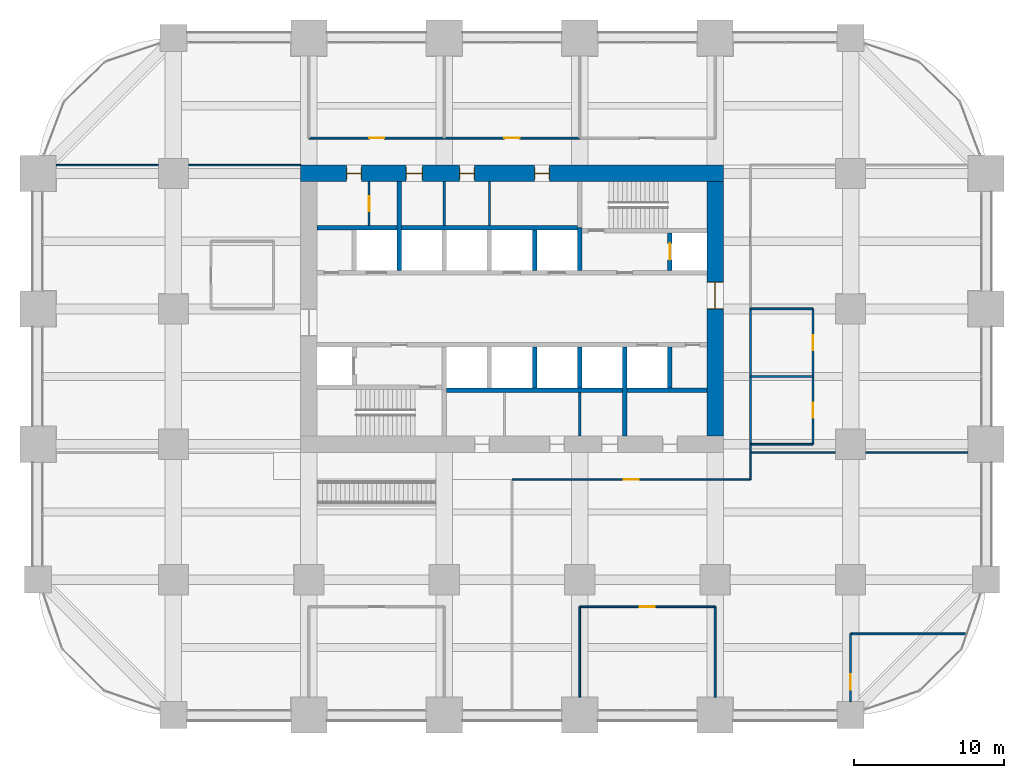
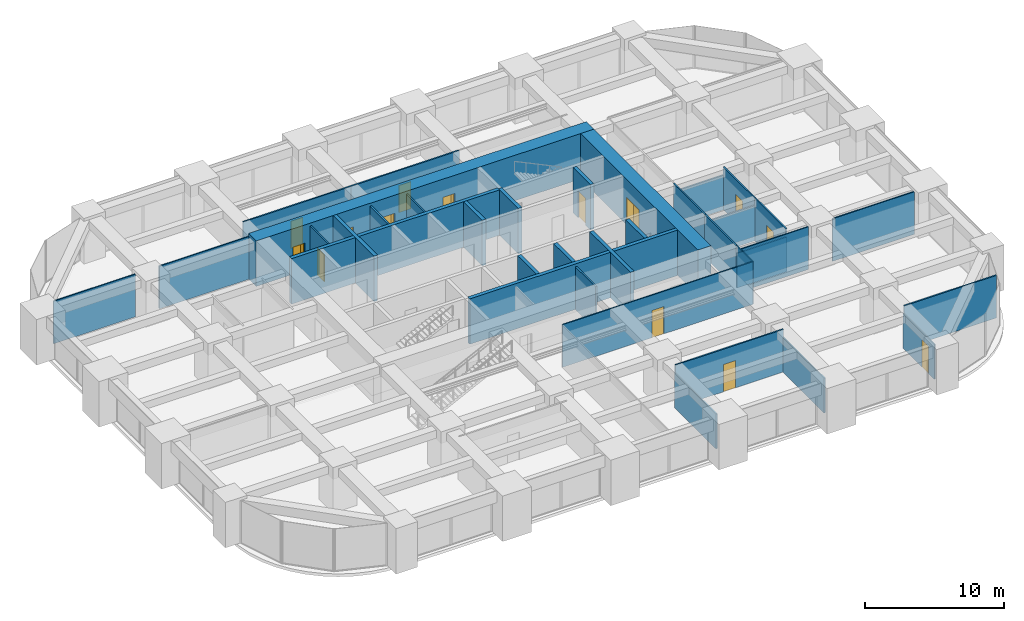
# One storey, part 37 of 39: 36 walls, 14 doors, 14 openings.
"""IFC4 building model written with IfcOpenShell, lengths in metres."""

from ifc_helpers import new_model, si_unit, direction, frame, frame_2d, origin, place, context, subcontext, project, spatial, rectangle, extrude, material, layer, layer_set, type_object, element, fill, save


model = new_model("IFC4")

# Units and contexts
model_context = context("Model", 3, precision=1e-05, world=origin(), true_north=direction((0.0, 1.0)))
body_context = subcontext(model_context, "Body", "Model", "MODEL_VIEW")
ifc_project = project(units=[si_unit("LENGTHUNIT", "METRE"), si_unit("AREAUNIT", "SQUARE_METRE"), si_unit("VOLUMEUNIT", "CUBIC_METRE"), si_unit("PLANEANGLEUNIT", "RADIAN"), si_unit("MASSUNIT", "GRAM", prefix="KILO")], contexts=[model_context])

# Site, building, storey
site_placement = place(None, origin())
site = spatial("IfcSite", under=ifc_project, at=site_placement, CompositionType="ELEMENT")
building_placement = place(site_placement, origin())
building = spatial("IfcBuilding", under=site, at=building_placement, Name="Zorevar Civic Tower", CompositionType="ELEMENT")
storey_placement = place(building_placement, frame((0.0, 0.0, 117.0)))
storey = spatial("IfcBuildingStorey", under=building, at=storey_placement, Name="L28", CompositionType="ELEMENT", Elevation=117.0)

# Wall, openings, doors
ifc_material_1 = material(Name="Concrete C50/60", Category="concrete")
ifc_layer_1 = layer(ifc_material_1, 1.10009765625)
ifc_layer_set_1 = layer_set([ifc_layer_1], Name="Core wall 1100")
wall_type_1 = type_object("IfcWallType", Name="Core wall 1100", PredefinedType="SHEAR", material=ifc_layer_set_1)
wall_1_placement = place(storey_placement, frame((45.550048828125, 36.0, 0.0), z_axis=(0.0, 0.0, 1.0), x_axis=(-1.0, 0.0, 0.0)))
wall_1 = element("IfcWall", 1, at=wall_1_placement, inside=storey, type_object=wall_type_1, Name="Core wall N L28", PredefinedType="SHEAR", context=body_context, shape_type="SweptSolid", body=[
    extrude(rectangle(XDim=28.10009765625, YDim=1.10009765625, at=frame_2d((14.050048828125, 0.0))), origin(), (0.0, 0.0, 1.0), 4.0),
])
opening_1_placement = place(wall_1_placement, frame((11.550048828125, 0.0, 0.0)))
opening_1 = element("IfcOpeningElement", 2, at=opening_1_placement, cuts=wall_1, Name="Opening L28.07", PredefinedType="OPENING", context=body_context, shape_type="SweptSolid", body=[
    extrude(rectangle(XDim=1.0, YDim=2.39990234375, at=frame_2d((0.5, 1.199951171875))), frame((0.0, 0.56005859375, 0.0), z_axis=(0.0, -1.0, 0.0), x_axis=(1.0, 0.0, 0.0)), (0.0, 0.0, 1.0), 1.1201171875),
])
opening_2_placement = place(wall_1_placement, frame((16.550048828125, 0.0, 0.0)))
opening_2 = element("IfcOpeningElement", 3, at=opening_2_placement, cuts=wall_1, Name="Opening L28.08", PredefinedType="OPENING", context=body_context, shape_type="SweptSolid", body=[
    extrude(rectangle(XDim=1.0, YDim=2.39990234375, at=frame_2d((0.5, 1.199951171875))), frame((0.0, 0.56005859375, 0.0), z_axis=(0.0, -1.0, 0.0), x_axis=(1.0, 0.0, 0.0)), (0.0, 0.0, 1.0), 1.1201171875),
])
opening_3_placement = place(wall_1_placement, frame((20.0, 0.0, 0.0)))
opening_3 = element("IfcOpeningElement", 4, at=opening_3_placement, cuts=wall_1, Name="Opening L28.09", PredefinedType="OPENING", context=body_context, shape_type="SweptSolid", body=[
    extrude(rectangle(XDim=1.10009765625, YDim=2.39990234375, at=frame_2d((0.550048828125, 1.199951171875))), frame((0.0, 0.56005859375, 0.0), z_axis=(0.0, -1.0, 0.0), x_axis=(1.0, 0.0, 0.0)), (0.0, 0.0, 1.0), 1.1201171875),
])
opening_4_placement = place(wall_1_placement, frame((24.050048828125, 0.0, 0.0)))
opening_4 = element("IfcOpeningElement", 5, at=opening_4_placement, cuts=wall_1, Name="Opening L28.10", PredefinedType="OPENING", context=body_context, shape_type="SweptSolid", body=[
    extrude(rectangle(XDim=1.0, YDim=2.39990234375, at=frame_2d((0.5, 1.199951171875))), frame((0.0, 0.56005859375, 0.0), z_axis=(0.0, -1.0, 0.0), x_axis=(1.0, 0.0, 0.0)), (0.0, 0.0, 1.0), 1.1201171875),
])
ifc_material_2 = material(Name="Timber door set", Category="wood")
door_type_1 = type_object("IfcDoorType", Name="Door D1 1000x2400", OperationType="SINGLE_SWING_LEFT", PredefinedType="DOOR", material=ifc_material_2)
door_1_placement = place(opening_1_placement, origin())
door_1 = element("IfcDoor", 6, at=door_1_placement, inside=storey, type_object=door_type_1, Name="Door L28 06", OperationType="SINGLE_SWING_LEFT", OverallHeight=2.39990234375, OverallWidth=1.0, PredefinedType="DOOR", context=body_context, shape_type="SweptSolid", body=[
    extrude(rectangle(XDim=1.0, YDim=2.39990234375, at=frame_2d((0.5, 1.199951171875))), frame((0.0, 0.02490234375, 0.0), z_axis=(0.0, -1.0, 0.0), x_axis=(1.0, 0.0, 0.0)), (0.0, 0.0, 1.0), 0.050048828125),
    extrude(rectangle(XDim=0.04, YDim=2.39990234375, at=frame_2d((0.02001953125, 1.199951171875))), frame((0.0, 0.39990234375, 0.0), z_axis=(0.0, -1.0, 0.0), x_axis=(1.0, 0.0, 0.0)), (0.0, 0.0, 1.0), 0.800048828125),
    extrude(rectangle(XDim=0.04, YDim=2.39990234375, at=frame_2d((0.97998046875, 1.199951171875))), frame((0.0, 0.39990234375, 0.0), z_axis=(0.0, -1.0, 0.0), x_axis=(1.0, 0.0, 0.0)), (0.0, 0.0, 1.0), 0.800048828125),
    extrude(rectangle(XDim=1.0, YDim=0.04, at=frame_2d((0.5, 2.3798828125))), frame((0.0, 0.39990234375, 0.0), z_axis=(0.0, -1.0, 0.0), x_axis=(1.0, 0.0, 0.0)), (0.0, 0.0, 1.0), 0.800048828125),
])
fill(opening_1, door_1)
door_2_placement = place(opening_2_placement, origin())
door_2 = element("IfcDoor", 7, at=door_2_placement, inside=storey, type_object=door_type_1, Name="Door L28 07", OperationType="SINGLE_SWING_RIGHT", OverallHeight=2.39990234375, OverallWidth=1.0, PredefinedType="DOOR", context=body_context, shape_type="SweptSolid", body=[
    extrude(rectangle(XDim=1.0, YDim=2.39990234375, at=frame_2d((0.5, 1.199951171875))), frame((0.0, 0.02490234375, 0.0), z_axis=(0.0, -1.0, 0.0), x_axis=(1.0, 0.0, 0.0)), (0.0, 0.0, 1.0), 0.050048828125),
    extrude(rectangle(XDim=0.04, YDim=2.39990234375, at=frame_2d((0.02001953125, 1.199951171875))), frame((0.0, 0.39990234375, 0.0), z_axis=(0.0, -1.0, 0.0), x_axis=(1.0, 0.0, 0.0)), (0.0, 0.0, 1.0), 0.800048828125),
    extrude(rectangle(XDim=0.04, YDim=2.39990234375, at=frame_2d((0.97998046875, 1.199951171875))), frame((0.0, 0.39990234375, 0.0), z_axis=(0.0, -1.0, 0.0), x_axis=(1.0, 0.0, 0.0)), (0.0, 0.0, 1.0), 0.800048828125),
    extrude(rectangle(XDim=1.0, YDim=0.04, at=frame_2d((0.5, 2.3798828125))), frame((0.0, 0.39990234375, 0.0), z_axis=(0.0, -1.0, 0.0), x_axis=(1.0, 0.0, 0.0)), (0.0, 0.0, 1.0), 0.800048828125),
])
fill(opening_2, door_2)
door_3_placement = place(opening_4_placement, origin())
door_3 = element("IfcDoor", 8, at=door_3_placement, inside=storey, type_object=door_type_1, Name="Door L28 09", OperationType="SINGLE_SWING_RIGHT", OverallHeight=2.39990234375, OverallWidth=1.0, PredefinedType="DOOR", context=body_context, shape_type="SweptSolid", body=[
    extrude(rectangle(XDim=1.0, YDim=2.39990234375, at=frame_2d((0.5, 1.199951171875))), frame((0.0, 0.02490234375, 0.0), z_axis=(0.0, -1.0, 0.0), x_axis=(1.0, 0.0, 0.0)), (0.0, 0.0, 1.0), 0.050048828125),
    extrude(rectangle(XDim=0.04, YDim=2.39990234375, at=frame_2d((0.02001953125, 1.199951171875))), frame((0.0, 0.39990234375, 0.0), z_axis=(0.0, -1.0, 0.0), x_axis=(1.0, 0.0, 0.0)), (0.0, 0.0, 1.0), 0.800048828125),
    extrude(rectangle(XDim=0.04, YDim=2.39990234375, at=frame_2d((0.97998046875, 1.199951171875))), frame((0.0, 0.39990234375, 0.0), z_axis=(0.0, -1.0, 0.0), x_axis=(1.0, 0.0, 0.0)), (0.0, 0.0, 1.0), 0.800048828125),
    extrude(rectangle(XDim=1.0, YDim=0.04, at=frame_2d((0.5, 2.3798828125))), frame((0.0, 0.39990234375, 0.0), z_axis=(0.0, -1.0, 0.0), x_axis=(1.0, 0.0, 0.0)), (0.0, 0.0, 1.0), 0.800048828125),
])
fill(opening_4, door_3)
ifc_material_3 = material(Name="Timber door set", Category="wood")
door_type_2 = type_object("IfcDoorType", Name="Door D5 1100x2400", OperationType="SINGLE_SWING_LEFT", PredefinedType="DOOR", material=ifc_material_3)
door_4_placement = place(opening_3_placement, origin())
door_4 = element("IfcDoor", 9, at=door_4_placement, inside=storey, type_object=door_type_2, Name="Door L28 08", OperationType="SINGLE_SWING_RIGHT", OverallHeight=2.39990234375, OverallWidth=1.10009765625, PredefinedType="DOOR", context=body_context, shape_type="SweptSolid", body=[
    extrude(rectangle(XDim=1.10009765625, YDim=2.39990234375, at=frame_2d((0.550048828125, 1.199951171875))), frame((0.0, 0.02490234375, 0.0), z_axis=(0.0, -1.0, 0.0), x_axis=(1.0, 0.0, 0.0)), (0.0, 0.0, 1.0), 0.050048828125),
    extrude(rectangle(XDim=0.04, YDim=2.39990234375, at=frame_2d((0.02001953125, 1.199951171875))), frame((0.0, 0.43994140625, 0.0), z_axis=(0.0, -1.0, 0.0), x_axis=(1.0, 0.0, 0.0)), (0.0, 0.0, 1.0), 0.880126953125),
    extrude(rectangle(XDim=0.04, YDim=2.39990234375, at=frame_2d((1.080078125, 1.199951171875))), frame((0.0, 0.43994140625, 0.0), z_axis=(0.0, -1.0, 0.0), x_axis=(1.0, 0.0, 0.0)), (0.0, 0.0, 1.0), 0.880126953125),
    extrude(rectangle(XDim=1.10009765625, YDim=0.04, at=frame_2d((0.550048828125, 2.3798828125))), frame((0.0, 0.43994140625, 0.0), z_axis=(0.0, -1.0, 0.0), x_axis=(1.0, 0.0, 0.0)), (0.0, 0.0, 1.0), 0.880126953125),
])
fill(opening_3, door_4)

# Wall, opening, door
wall_2_placement = place(storey_placement, frame((45.0, 18.550048828125, 0.0), z_axis=(0.0, 0.0, 1.0), x_axis=(0.0, 1.0, 0.0)))
wall_2 = element("IfcWall", 10, at=wall_2_placement, inside=storey, type_object=wall_type_1, Name="Core wall E L28", PredefinedType="SHEAR", context=body_context, shape_type="SweptSolid", body=[
    extrude(rectangle(XDim=16.89990234375, YDim=1.10009765625, at=frame_2d((8.449951171875, 0.0))), origin(), (0.0, 0.0, 1.0), 4.0),
])
opening_5_placement = place(wall_2_placement, frame((8.449951171875, 0.0, 0.0)))
opening_5 = element("IfcOpeningElement", 11, at=opening_5_placement, cuts=wall_2, Name="Opening L28.02", PredefinedType="OPENING", context=body_context, shape_type="SweptSolid", body=[
    extrude(rectangle(XDim=1.800048828125, YDim=2.39990234375, at=frame_2d((0.89990234375, 1.199951171875))), frame((0.0, 0.56005859375, 0.0), z_axis=(0.0, -1.0, 0.0), x_axis=(1.0, 0.0, 0.0)), (0.0, 0.0, 1.0), 1.1201171875),
])
ifc_material_4 = material(Name="Steel door set", Category="steel")
door_type_3 = type_object("IfcDoorType", Name="Fire door FD2 1800x2400", OperationType="DOUBLE_DOOR_DOUBLE_SWING", PredefinedType="DOOR", material=ifc_material_4)
door_5_placement = place(opening_5_placement, origin())
door_5 = element("IfcDoor", 12, at=door_5_placement, inside=storey, type_object=door_type_3, Name="Door L28 01", OperationType="DOUBLE_DOOR_DOUBLE_SWING", OverallHeight=2.39990234375, OverallWidth=1.800048828125, PredefinedType="DOOR", context=body_context, shape_type="SweptSolid", body=[
    extrude(rectangle(XDim=1.800048828125, YDim=2.39990234375, at=frame_2d((0.89990234375, 1.199951171875))), frame((0.0, 0.030029296875, 0.0), z_axis=(0.0, -1.0, 0.0), x_axis=(1.0, 0.0, 0.0)), (0.0, 0.0, 1.0), 0.06005859375),
    extrude(rectangle(XDim=0.04, YDim=2.39990234375, at=frame_2d((0.02001953125, 1.199951171875))), frame((0.0, 0.5498046875, 0.0), z_axis=(0.0, -1.0, 0.0), x_axis=(1.0, 0.0, 0.0)), (0.0, 0.0, 1.0), 1.099609375),
    extrude(rectangle(XDim=0.04, YDim=2.39990234375, at=frame_2d((1.780029296875, 1.199951171875))), frame((0.0, 0.5498046875, 0.0), z_axis=(0.0, -1.0, 0.0), x_axis=(1.0, 0.0, 0.0)), (0.0, 0.0, 1.0), 1.099609375),
    extrude(rectangle(XDim=1.800048828125, YDim=0.04, at=frame_2d((0.89990234375, 2.3798828125))), frame((0.0, 0.5498046875, 0.0), z_axis=(0.0, -1.0, 0.0), x_axis=(1.0, 0.0, 0.0)), (0.0, 0.0, 1.0), 1.099609375),
])
fill(opening_5, door_5)

ifc_material_5 = material(Name="Laminated glass in black aluminium frame", Category="aluminium")
ifc_layer_2 = layer(ifc_material_5, 0.10009765625)
ifc_layer_set_2 = layer_set([ifc_layer_2], Name="Glazed partition 100")
wall_type_2 = type_object("IfcWallType", Name="Glazed partition 100", PredefinedType="PARTITIONING", material=ifc_layer_set_2)
wall_3_placement = place(storey_placement, frame((31.5, 15.64990234375, 0.0), z_axis=(0.0, 0.0, 1.0), x_axis=(1.0, 0.0, 0.0)))
wall_3 = element("IfcWall", 13, at=wall_3_placement, inside=storey, type_object=wall_type_2, Name="Glazed partition 100 L28", PredefinedType="PARTITIONING", context=body_context, shape_type="SweptSolid", body=[
    extrude(rectangle(XDim=15.85009765625, YDim=0.10009765625, at=frame_2d((7.925048828125, 0.0))), origin(), (0.0, 0.0, 1.0), 3.75),
])
opening_6_placement = place(wall_3_placement, frame((7.425048828125, 0.0, 0.0)))
opening_6 = element("IfcOpeningElement", 14, at=opening_6_placement, cuts=wall_3, Name="Opening L28.19", PredefinedType="OPENING", context=body_context, shape_type="SweptSolid", body=[
    extrude(rectangle(XDim=1.0, YDim=2.39990234375, at=frame_2d((0.5, 1.199951171875))), frame((0.0, 0.06005859375, 0.0), z_axis=(0.0, -1.0, 0.0), x_axis=(1.0, 0.0, 0.0)), (0.0, 0.0, 1.0), 0.1201171875),
])
ifc_material_6 = material(Name="Timber door set", Category="wood")
door_type_4 = type_object("IfcDoorType", Name="Glazed door GD1 1000x2400", OperationType="SINGLE_SWING_LEFT", PredefinedType="DOOR", material=ifc_material_6)
door_6_placement = place(opening_6_placement, origin())
door_6 = element("IfcDoor", 15, at=door_6_placement, inside=storey, type_object=door_type_4, Name="Door L28 D1", OperationType="SINGLE_SWING_LEFT", OverallHeight=2.39990234375, OverallWidth=1.0, PredefinedType="DOOR", context=body_context, shape_type="SweptSolid", body=[
    extrude(rectangle(XDim=1.0, YDim=2.39990234375, at=frame_2d((0.5, 1.199951171875))), frame((0.0, 0.02001953125, 0.0), z_axis=(0.0, -1.0, 0.0), x_axis=(1.0, 0.0, 0.0)), (0.0, 0.0, 1.0), 0.0400390625),
])
fill(opening_6, door_6)

# Walls
wall_4_placement = place(storey_placement, frame((47.35009765625, 17.449951171875, 0.0), z_axis=(0.0, 0.0, 1.0), x_axis=(1.0, 0.0, 0.0)))
element("IfcWall", 16, at=wall_4_placement, inside=storey, type_object=wall_type_2, Name="Glazed partition 100 L28", PredefinedType="PARTITIONING", context=body_context, shape_type="SweptSolid", body=[
    extrude(rectangle(XDim=5.64990234375, YDim=0.10009765625, at=frame_2d((2.824951171875, 0.0))), origin(), (0.0, 0.0, 1.0), 3.75),
])
for number, where, z_axis, x_axis, name in (
    (17, (55.0, 17.449951171875, 0.0), (0.0, 0.0, 1.0), (1.0, 0.0, 0.0), "Glazed partition 100 L28"),
    (18, (1.199951171875, 36.550048828125, 0.0), (0.0, 0.0, 1.0), (1.0, 0.0, 0.0), "Glazed partition 100 L28"),
):
    element("IfcWall", number, at=place(storey_placement, frame(where, z_axis=z_axis, x_axis=x_axis)), inside=storey, type_object=wall_type_2, Name=name, PredefinedType="PARTITIONING", context=body_context, shape_type="SweptSolid", body=[
        extrude(rectangle(XDim=6.800048828125, YDim=0.10009765625, at=frame_2d((3.39990234375, 0.0))), origin(), (0.0, 0.0, 1.0), 3.75),
    ])
wall_5_placement = place(storey_placement, frame((10.0, 36.550048828125, 0.0), z_axis=(0.0, 0.0, 1.0), x_axis=(1.0, 0.0, 0.0)))
element("IfcWall", 19, at=wall_5_placement, inside=storey, type_object=wall_type_2, Name="Glazed partition 100 L28", PredefinedType="PARTITIONING", context=body_context, shape_type="SweptSolid", body=[
    extrude(rectangle(XDim=7.449951171875, YDim=0.10009765625, at=frame_2d((3.72509765625, 0.0))), origin(), (0.0, 0.0, 1.0), 3.75),
])
wall_6_placement = place(storey_placement, frame((47.35009765625, 15.64990234375, 0.0), z_axis=(0.0, 0.0, 1.0), x_axis=(0.0, 1.0, 0.0)))
element("IfcWall", 20, at=wall_6_placement, inside=storey, type_object=wall_type_2, Name="Glazed partition 100 L28", PredefinedType="PARTITIONING", context=body_context, shape_type="SweptSolid", body=[
    extrude(rectangle(XDim=2.35009765625, YDim=0.10009765625, at=frame_2d((1.175048828125, 0.0))), origin(), (0.0, 0.0, 1.0), 3.75),
])

# Wall, opening, door
ifc_material_7 = material(Name="Concrete C40/50", Category="concrete")
ifc_layer_3 = layer(ifc_material_7, 0.300048828125)
ifc_layer_set_3 = layer_set([ifc_layer_3], Name="Inner core wall 300")
wall_type_3 = type_object("IfcWallType", Name="Inner core wall 300", PredefinedType="SHEAR", material=ifc_layer_set_3)
wall_7_placement = place(storey_placement, frame((42.0, 29.550048828125, 0.0), z_axis=(0.0, 0.0, 1.0), x_axis=(0.0, 1.0, 0.0)))
wall_7 = element("IfcWall", 21, at=wall_7_placement, inside=storey, type_object=wall_type_3, Name="Inner core wall N02 L28", PredefinedType="SHEAR", context=body_context, shape_type="SweptSolid", body=[
    extrude(rectangle(XDim=2.5, YDim=0.300048828125, at=frame_2d((1.25, 0.0))), origin(), (0.0, 0.0, 1.0), 4.0),
])
opening_7_placement = place(wall_7_placement, frame((0.699951171875, 0.0, 0.0)))
opening_7 = element("IfcOpeningElement", 22, at=opening_7_placement, cuts=wall_7, Name="Opening L28.FL2", PredefinedType="OPENING", context=body_context, shape_type="SweptSolid", body=[
    extrude(rectangle(XDim=1.10009765625, YDim=2.39990234375, at=frame_2d((0.550048828125, 1.199951171875))), frame((0.0, 0.159912109375, 0.0), z_axis=(0.0, -1.0, 0.0), x_axis=(1.0, 0.0, 0.0)), (0.0, 0.0, 1.0), 0.320068359375),
])
ifc_material_8 = material(Name="Steel door set", Category="steel")
door_type_5 = type_object("IfcDoorType", Name="Firefighting lift landing door LD3 1100x2400", OperationType="DOUBLE_DOOR_SLIDING", PredefinedType="DOOR", material=ifc_material_8)
door_7_placement = place(opening_7_placement, origin())
door_7 = element("IfcDoor", 23, at=door_7_placement, inside=storey, type_object=door_type_5, Name="Landing door FL2 L28", OperationType="DOUBLE_DOOR_SLIDING", OverallHeight=2.39990234375, OverallWidth=1.10009765625, PredefinedType="DOOR", context=body_context, shape_type="SweptSolid", body=[
    extrude(rectangle(XDim=1.10009765625, YDim=2.39990234375, at=frame_2d((0.550048828125, 1.199951171875))), frame((0.0, 0.030029296875, 0.0), z_axis=(0.0, -1.0, 0.0), x_axis=(1.0, 0.0, 0.0)), (0.0, 0.0, 1.0), 0.06005859375),
])
fill(opening_7, door_7)

# Walls
for number, where, z_axis, x_axis, name in (
    (24, (27.14990234375, 21.60009765625, 0.0), (0.0, 0.0, 1.0), (1.0, 0.0, 0.0), "Inner core wall S04 L28"),
    (25, (18.550048828125, 32.39990234375, 0.0), (0.0, 0.0, 1.0), (1.0, 0.0, 0.0), "Inner core wall N04 L28"),
):
    element("IfcWall", number, at=place(storey_placement, frame(where, z_axis=z_axis, x_axis=x_axis)), inside=storey, type_object=wall_type_3, Name=name, PredefinedType="SHEAR", context=body_context, shape_type="SweptSolid", body=[
        extrude(rectangle(XDim=17.300048828125, YDim=0.300048828125, at=frame_2d((8.64990234375, 0.0))), origin(), (0.0, 0.0, 1.0), 4.0),
    ])
for number, where, z_axis, x_axis, name in (
    (26, (33.0, 29.550048828125, 0.0), (0.0, 0.0, 1.0), (0.0, 1.0, 0.0), "Inner core wall N05 L28"),
    (27, (33.0, 21.75, 0.0), (0.0, 0.0, 1.0), (0.0, 1.0, 0.0), "Inner core wall S06 L28"),
    (28, (36.0, 21.75, 0.0), (0.0, 0.0, 1.0), (0.0, 1.0, 0.0), "Inner core wall S07 L28"),
):
    element("IfcWall", number, at=place(storey_placement, frame(where, z_axis=z_axis, x_axis=x_axis)), inside=storey, type_object=wall_type_3, Name=name, PredefinedType="SHEAR", context=body_context, shape_type="SweptSolid", body=[
        extrude(rectangle(XDim=2.699951171875, YDim=0.300048828125, at=frame_2d((1.35009765625, 0.0))), origin(), (0.0, 0.0, 1.0), 4.0),
    ])
for number, where, z_axis, x_axis, name in (
    (29, (39.0, 18.550048828125, 0.0), (0.0, 0.0, 1.0), (0.0, 1.0, 0.0), "Inner core wall S08 L28"),
    (30, (24.0, 29.550048828125, 0.0), (0.0, 0.0, 1.0), (0.0, 1.0, 0.0), "Inner core wall N08 L28"),
):
    element("IfcWall", number, at=place(storey_placement, frame(where, z_axis=z_axis, x_axis=x_axis)), inside=storey, type_object=wall_type_3, Name=name, PredefinedType="SHEAR", context=body_context, shape_type="SweptSolid", body=[
        extrude(rectangle(XDim=5.89990234375, YDim=0.300048828125, at=frame_2d((2.949951171875, 0.0))), origin(), (0.0, 0.0, 1.0), 4.0),
    ])
wall_8_placement = place(storey_placement, frame((42.0, 21.75, 0.0), z_axis=(0.0, 0.0, 1.0), x_axis=(0.0, 1.0, 0.0)))
element("IfcWall", 31, at=wall_8_placement, inside=storey, type_object=wall_type_3, Name="Inner core wall S09 L28", PredefinedType="SHEAR", context=body_context, shape_type="SweptSolid", body=[
    extrude(rectangle(XDim=2.699951171875, YDim=0.300048828125, at=frame_2d((1.35009765625, 0.0))), origin(), (0.0, 0.0, 1.0), 4.0),
])
wall_9_placement = place(storey_placement, frame((36.0, 29.550048828125, 0.0), z_axis=(0.0, 0.0, 1.0), x_axis=(0.0, 1.0, 0.0)))
element("IfcWall", 32, at=wall_9_placement, inside=storey, type_object=wall_type_3, Name="Inner core wall N10 L28", PredefinedType="SHEAR", context=body_context, shape_type="SweptSolid", body=[
    extrude(rectangle(XDim=2.849853515625, YDim=0.300048828125, at=frame_2d((1.4248046875, 0.0))), origin(), (0.0, 0.0, 1.0), 4.0),
])
ifc_material_9 = material(Name="Gypsum board on steel studs", Category="steel")
ifc_layer_4 = layer(ifc_material_9, 0.1201171875)
ifc_layer_set_4 = layer_set([ifc_layer_4], Name="Partition 120")
wall_type_4 = type_object("IfcWallType", Name="Partition 120", PredefinedType="PARTITIONING", material=ifc_layer_set_4)
wall_10_placement = place(storey_placement, frame((54.0, 5.39990234375, 0.0), z_axis=(0.0, 0.0, 1.0), x_axis=(1.0, 0.0, 0.0)))
element("IfcWall", 33, at=wall_10_placement, inside=storey, type_object=wall_type_4, Name="Partition 120 L28", PredefinedType="PARTITIONING", context=body_context, shape_type="SweptSolid", body=[
    extrude(rectangle(XDim=7.688232421875, YDim=0.1201171875, at=frame_2d((3.84423828125, 0.0))), origin(), (0.0, 0.0, 1.0), 3.75),
])

# Wall, opening, door
wall_11_placement = place(storey_placement, frame((36.0, 7.199951171875, 0.0), z_axis=(0.0, 0.0, 1.0), x_axis=(1.0, 0.0, 0.0)))
wall_11 = element("IfcWall", 34, at=wall_11_placement, inside=storey, type_object=wall_type_4, Name="Partition 120 L28", PredefinedType="PARTITIONING", context=body_context, shape_type="SweptSolid", body=[
    extrude(rectangle(XDim=9.0, YDim=0.1201171875, at=frame_2d((4.5, 0.0))), origin(), (0.0, 0.0, 1.0), 3.75),
])
opening_8_placement = place(wall_11_placement, frame((4.0, 0.0, 0.0)))
opening_8 = element("IfcOpeningElement", 35, at=opening_8_placement, cuts=wall_11, Name="Opening L28.18", PredefinedType="OPENING", context=body_context, shape_type="SweptSolid", body=[
    extrude(rectangle(XDim=1.0, YDim=2.39990234375, at=frame_2d((0.5, 1.199951171875))), frame((0.0, 0.070068359375, 0.0), z_axis=(0.0, -1.0, 0.0), x_axis=(1.0, 0.0, 0.0)), (0.0, 0.0, 1.0), 0.14013671875),
])
door_8_placement = place(opening_8_placement, origin())
door_8 = element("IfcDoor", 36, at=door_8_placement, inside=storey, type_object=door_type_1, Name="Door L28 D1", OperationType="SINGLE_SWING_RIGHT", OverallHeight=2.39990234375, OverallWidth=1.0, PredefinedType="DOOR", context=body_context, shape_type="SweptSolid", body=[
    extrude(rectangle(XDim=1.0, YDim=2.39990234375, at=frame_2d((0.5, 1.199951171875))), frame((0.0, 0.02490234375, 0.0), z_axis=(0.0, -1.0, 0.0), x_axis=(1.0, 0.0, 0.0)), (0.0, 0.0, 1.0), 0.050048828125),
])
fill(opening_8, door_8)

# Walls
wall_12_placement = place(storey_placement, frame((47.35009765625, 18.0, 0.0), z_axis=(0.0, 0.0, 1.0), x_axis=(1.0, 0.0, 0.0)))
element("IfcWall", 37, at=wall_12_placement, inside=storey, type_object=wall_type_4, Name="Partition 120 L28", PredefinedType="PARTITIONING", context=body_context, shape_type="SweptSolid", body=[
    extrude(rectangle(XDim=4.14990234375, YDim=0.1201171875, at=frame_2d((2.074951171875, 0.0))), origin(), (0.0, 0.0, 1.0), 3.050048828125),
])
wall_13_placement = place(storey_placement, frame((47.35009765625, 22.5, 0.0), z_axis=(0.0, 0.0, 1.0), x_axis=(1.0, 0.0, 0.0)))
element("IfcWall", 38, at=wall_13_placement, inside=storey, type_object=wall_type_4, Name="Partition 120 L28", PredefinedType="PARTITIONING", context=body_context, shape_type="SweptSolid", body=[
    extrude(rectangle(XDim=4.14990234375, YDim=0.1201171875, at=frame_2d((2.074951171875, 0.0))), origin(), (0.0, 0.0, 1.0), 3.10009765625),
])
wall_14_placement = place(storey_placement, frame((47.35009765625, 27.0, 0.0), z_axis=(0.0, 0.0, 1.0), x_axis=(1.0, 0.0, 0.0)))
element("IfcWall", 39, at=wall_14_placement, inside=storey, type_object=wall_type_4, Name="Partition 120 L28", PredefinedType="PARTITIONING", context=body_context, shape_type="SweptSolid", body=[
    extrude(rectangle(XDim=4.14990234375, YDim=0.1201171875, at=frame_2d((2.074951171875, 0.0))), origin(), (0.0, 0.0, 1.0), 3.050048828125),
])

# Wall, opening, door
wall_15_placement = place(storey_placement, frame((18.0, 38.35009765625, 0.0), z_axis=(0.0, 0.0, 1.0), x_axis=(1.0, 0.0, 0.0)))
wall_15 = element("IfcWall", 40, at=wall_15_placement, inside=storey, type_object=wall_type_4, Name="Partition 120 L28", PredefinedType="PARTITIONING", context=body_context, shape_type="SweptSolid", body=[
    extrude(rectangle(XDim=9.0, YDim=0.1201171875, at=frame_2d((4.5, 0.0))), origin(), (0.0, 0.0, 1.0), 3.75),
])
opening_9_placement = place(wall_15_placement, frame((4.0, 0.0, 0.0)))
opening_9 = element("IfcOpeningElement", 41, at=opening_9_placement, cuts=wall_15, Name="Opening L28.20", PredefinedType="OPENING", context=body_context, shape_type="SweptSolid", body=[
    extrude(rectangle(XDim=1.0, YDim=2.39990234375, at=frame_2d((0.5, 1.199951171875))), frame((0.0, 0.070068359375, 0.0), z_axis=(0.0, -1.0, 0.0), x_axis=(1.0, 0.0, 0.0)), (0.0, 0.0, 1.0), 0.14013671875),
])
door_9_placement = place(opening_9_placement, origin())
door_9 = element("IfcDoor", 42, at=door_9_placement, inside=storey, type_object=door_type_1, Name="Door L28 D1", OperationType="SINGLE_SWING_LEFT", OverallHeight=2.39990234375, OverallWidth=1.0, PredefinedType="DOOR", context=body_context, shape_type="SweptSolid", body=[
    extrude(rectangle(XDim=1.0, YDim=2.39990234375, at=frame_2d((0.5, 1.199951171875))), frame((0.0, 0.02490234375, 0.0), z_axis=(0.0, -1.0, 0.0), x_axis=(1.0, 0.0, 0.0)), (0.0, 0.0, 1.0), 0.050048828125),
])
fill(opening_9, door_9)

wall_16_placement = place(storey_placement, frame((27.0, 38.35009765625, 0.0), z_axis=(0.0, 0.0, 1.0), x_axis=(1.0, 0.0, 0.0)))
wall_16 = element("IfcWall", 43, at=wall_16_placement, inside=storey, type_object=wall_type_4, Name="Partition 120 L28", PredefinedType="PARTITIONING", context=body_context, shape_type="SweptSolid", body=[
    extrude(rectangle(XDim=9.0, YDim=0.1201171875, at=frame_2d((4.5, 0.0))), origin(), (0.0, 0.0, 1.0), 3.75),
])
opening_10_placement = place(wall_16_placement, frame((4.0, 0.0, 0.0)))
opening_10 = element("IfcOpeningElement", 44, at=opening_10_placement, cuts=wall_16, Name="Opening L28.21", PredefinedType="OPENING", context=body_context, shape_type="SweptSolid", body=[
    extrude(rectangle(XDim=1.0, YDim=2.39990234375, at=frame_2d((0.5, 1.199951171875))), frame((0.0, 0.070068359375, 0.0), z_axis=(0.0, -1.0, 0.0), x_axis=(1.0, 0.0, 0.0)), (0.0, 0.0, 1.0), 0.14013671875),
])
door_10_placement = place(opening_10_placement, origin())
door_10 = element("IfcDoor", 45, at=door_10_placement, inside=storey, type_object=door_type_1, Name="Door L28 D1", OperationType="SINGLE_SWING_RIGHT", OverallHeight=2.39990234375, OverallWidth=1.0, PredefinedType="DOOR", context=body_context, shape_type="SweptSolid", body=[
    extrude(rectangle(XDim=1.0, YDim=2.39990234375, at=frame_2d((0.5, 1.199951171875))), frame((0.0, 0.02490234375, 0.0), z_axis=(0.0, -1.0, 0.0), x_axis=(1.0, 0.0, 0.0)), (0.0, 0.0, 1.0), 0.050048828125),
])
fill(opening_10, door_10)

# Walls
for number, where, z_axis, x_axis, name in (
    (46, (36.0, 1.199951171875, 0.0), (0.0, 0.0, 1.0), (0.0, 1.0, 0.0), "Partition 120 L28"),
    (47, (45.0, 1.199951171875, 0.0), (0.0, 0.0, 1.0), (0.0, 1.0, 0.0), "Partition 120 L28"),
):
    element("IfcWall", number, at=place(storey_placement, frame(where, z_axis=z_axis, x_axis=x_axis)), inside=storey, type_object=wall_type_4, Name=name, PredefinedType="PARTITIONING", context=body_context, shape_type="SweptSolid", body=[
        extrude(rectangle(XDim=6.0, YDim=0.1201171875, at=frame_2d((3.0, 0.0))), origin(), (0.0, 0.0, 1.0), 3.050048828125),
    ])
for number, where, z_axis, x_axis, name in (
    (48, (47.35009765625, 18.0, 0.0), (0.0, 0.0, 1.0), (0.0, 1.0, 0.0), "Partition 120 L28"),
    (49, (47.35009765625, 22.5, 0.0), (0.0, 0.0, 1.0), (0.0, 1.0, 0.0), "Partition 120 L28"),
):
    element("IfcWall", number, at=place(storey_placement, frame(where, z_axis=z_axis, x_axis=x_axis)), inside=storey, type_object=wall_type_4, Name=name, PredefinedType="PARTITIONING", context=body_context, shape_type="SweptSolid", body=[
        extrude(rectangle(XDim=4.5, YDim=0.1201171875, at=frame_2d((2.25, 0.0))), origin(), (0.0, 0.0, 1.0), 3.75),
    ])

# Wall, opening, door
wall_17_placement = place(storey_placement, frame((51.5, 18.0, 0.0), z_axis=(0.0, 0.0, 1.0), x_axis=(0.0, 1.0, 0.0)))
wall_17 = element("IfcWall", 50, at=wall_17_placement, inside=storey, type_object=wall_type_4, Name="Partition 120 L28", PredefinedType="PARTITIONING", context=body_context, shape_type="SweptSolid", body=[
    extrude(rectangle(XDim=4.5, YDim=0.1201171875, at=frame_2d((2.25, 0.0))), origin(), (0.0, 0.0, 1.0), 3.75),
])
opening_11_placement = place(wall_17_placement, frame((1.75, 0.0, 0.0)))
opening_11 = element("IfcOpeningElement", 51, at=opening_11_placement, cuts=wall_17, Name="Opening L28.25", PredefinedType="OPENING", context=body_context, shape_type="SweptSolid", body=[
    extrude(rectangle(XDim=1.0, YDim=2.39990234375, at=frame_2d((0.5, 1.199951171875))), frame((0.0, 0.070068359375, 0.0), z_axis=(0.0, -1.0, 0.0), x_axis=(1.0, 0.0, 0.0)), (0.0, 0.0, 1.0), 0.14013671875),
])
door_11_placement = place(opening_11_placement, origin())
door_11 = element("IfcDoor", 52, at=door_11_placement, inside=storey, type_object=door_type_1, Name="Door L28 D1", OperationType="SINGLE_SWING_LEFT", OverallHeight=2.39990234375, OverallWidth=1.0, PredefinedType="DOOR", context=body_context, shape_type="SweptSolid", body=[
    extrude(rectangle(XDim=1.0, YDim=2.39990234375, at=frame_2d((0.5, 1.199951171875))), frame((0.0, 0.02490234375, 0.0), z_axis=(0.0, -1.0, 0.0), x_axis=(1.0, 0.0, 0.0)), (0.0, 0.0, 1.0), 0.050048828125),
])
fill(opening_11, door_11)

wall_18_placement = place(storey_placement, frame((51.5, 22.5, 0.0), z_axis=(0.0, 0.0, 1.0), x_axis=(0.0, 1.0, 0.0)))
wall_18 = element("IfcWall", 53, at=wall_18_placement, inside=storey, type_object=wall_type_4, Name="Partition 120 L28", PredefinedType="PARTITIONING", context=body_context, shape_type="SweptSolid", body=[
    extrude(rectangle(XDim=4.5, YDim=0.1201171875, at=frame_2d((2.25, 0.0))), origin(), (0.0, 0.0, 1.0), 3.75),
])
opening_12_placement = place(wall_18_placement, frame((1.75, 0.0, 0.0)))
opening_12 = element("IfcOpeningElement", 54, at=opening_12_placement, cuts=wall_18, Name="Opening L28.26", PredefinedType="OPENING", context=body_context, shape_type="SweptSolid", body=[
    extrude(rectangle(XDim=1.0, YDim=2.39990234375, at=frame_2d((0.5, 1.199951171875))), frame((0.0, 0.070068359375, 0.0), z_axis=(0.0, -1.0, 0.0), x_axis=(1.0, 0.0, 0.0)), (0.0, 0.0, 1.0), 0.14013671875),
])
door_12_placement = place(opening_12_placement, origin())
door_12 = element("IfcDoor", 55, at=door_12_placement, inside=storey, type_object=door_type_1, Name="Door L28 D1", OperationType="SINGLE_SWING_LEFT", OverallHeight=2.39990234375, OverallWidth=1.0, PredefinedType="DOOR", context=body_context, shape_type="SweptSolid", body=[
    extrude(rectangle(XDim=1.0, YDim=2.39990234375, at=frame_2d((0.5, 1.199951171875))), frame((0.0, 0.02490234375, 0.0), z_axis=(0.0, -1.0, 0.0), x_axis=(1.0, 0.0, 0.0)), (0.0, 0.0, 1.0), 0.050048828125),
])
fill(opening_12, door_12)

wall_19_placement = place(storey_placement, frame((54.0, 0.89990234375, 0.0), z_axis=(0.0, 0.0, 1.0), x_axis=(0.0, 1.0, 0.0)))
wall_19 = element("IfcWall", 56, at=wall_19_placement, inside=storey, type_object=wall_type_4, Name="Partition 120 L28", PredefinedType="PARTITIONING", context=body_context, shape_type="SweptSolid", body=[
    extrude(rectangle(XDim=4.5, YDim=0.1201171875, at=frame_2d((2.25, 0.0))), origin(), (0.0, 0.0, 1.0), 3.050048828125),
])
opening_13_placement = place(wall_19_placement, frame((0.800048828125, 0.0, 0.0)))
opening_13 = element("IfcOpeningElement", 57, at=opening_13_placement, cuts=wall_19, Name="Opening L28.27", PredefinedType="OPENING", context=body_context, shape_type="SweptSolid", body=[
    extrude(rectangle(XDim=1.0, YDim=2.39990234375, at=frame_2d((0.5, 1.199951171875))), frame((0.0, 0.070068359375, 0.0), z_axis=(0.0, -1.0, 0.0), x_axis=(1.0, 0.0, 0.0)), (0.0, 0.0, 1.0), 0.14013671875),
])
door_13_placement = place(opening_13_placement, origin())
door_13 = element("IfcDoor", 58, at=door_13_placement, inside=storey, type_object=door_type_1, Name="Door L28 D1", OperationType="SINGLE_SWING_RIGHT", OverallHeight=2.39990234375, OverallWidth=1.0, PredefinedType="DOOR", context=body_context, shape_type="SweptSolid", body=[
    extrude(rectangle(XDim=1.0, YDim=2.39990234375, at=frame_2d((0.5, 1.199951171875))), frame((0.0, 0.02490234375, 0.0), z_axis=(0.0, -1.0, 0.0), x_axis=(1.0, 0.0, 0.0)), (0.0, 0.0, 1.0), 0.050048828125),
])
fill(opening_13, door_13)

# Wall
wall_20_placement = place(storey_placement, frame((30.0, 32.550048828125, 0.0), z_axis=(0.0, 0.0, 1.0), x_axis=(0.0, 1.0, 0.0)))
element("IfcWall", 59, at=wall_20_placement, inside=storey, type_object=wall_type_4, Name="Partition L28", PredefinedType="PARTITIONING", context=body_context, shape_type="SweptSolid", body=[
    extrude(rectangle(XDim=2.89990234375, YDim=0.1201171875, at=frame_2d((1.449951171875, 0.0))), origin(), (0.0, 0.0, 1.0), 3.75),
])

# Wall, opening, door
wall_21_placement = place(storey_placement, frame((22.0, 32.550048828125, 0.0), z_axis=(0.0, 0.0, 1.0), x_axis=(0.0, 1.0, 0.0)))
wall_21 = element("IfcWall", 60, at=wall_21_placement, inside=storey, type_object=wall_type_4, Name="Partition L28", PredefinedType="PARTITIONING", context=body_context, shape_type="SweptSolid", body=[
    extrude(rectangle(XDim=2.89990234375, YDim=0.1201171875, at=frame_2d((1.449951171875, 0.0))), origin(), (0.0, 0.0, 1.0), 3.75),
])
opening_14_placement = place(wall_21_placement, frame((0.949951171875, 0.0, 0.0)))
opening_14 = element("IfcOpeningElement", 61, at=opening_14_placement, cuts=wall_21, Name="Opening L28.28", PredefinedType="OPENING", context=body_context, shape_type="SweptSolid", body=[
    extrude(rectangle(XDim=1.0, YDim=2.39990234375, at=frame_2d((0.5, 1.199951171875))), frame((0.0, 0.070068359375, 0.0), z_axis=(0.0, -1.0, 0.0), x_axis=(1.0, 0.0, 0.0)), (0.0, 0.0, 1.0), 0.14013671875),
])
ifc_material_10 = material(Name="Steel door set", Category="steel")
door_type_6 = type_object("IfcDoorType", Name="Fire door FD1 1000x2400", OperationType="SINGLE_SWING_LEFT", PredefinedType="DOOR", material=ifc_material_10)
door_14_placement = place(opening_14_placement, origin())
door_14 = element("IfcDoor", 62, at=door_14_placement, inside=storey, type_object=door_type_6, Name="Door L28 EN", OperationType="SINGLE_SWING_LEFT", OverallHeight=2.39990234375, OverallWidth=1.0, PredefinedType="DOOR", context=body_context, shape_type="SweptSolid", body=[
    extrude(rectangle(XDim=1.0, YDim=2.39990234375, at=frame_2d((0.5, 1.199951171875))), frame((0.0, 0.030029296875, 0.0), z_axis=(0.0, -1.0, 0.0), x_axis=(1.0, 0.0, 0.0)), (0.0, 0.0, 1.0), 0.06005859375),
])
fill(opening_14, door_14)

# Walls
ifc_material_11 = material(Name="Gypsum board on steel studs, moisture resistant", Category="steel")
ifc_layer_5 = layer(ifc_material_11, 0.14990234375)
ifc_layer_set_5 = layer_set([ifc_layer_5], Name="WC partition 150")
wall_type_5 = type_object("IfcWallType", Name="WC partition 150", PredefinedType="PARTITIONING", material=ifc_layer_set_5)
for number, where, z_axis, x_axis, name in (
    (63, (36.0, 18.550048828125, 0.0), (0.0, 0.0, 1.0), (0.0, 1.0, 0.0), "WC partition L28"),
    (64, (27.0, 32.550048828125, 0.0), (0.0, 0.0, 1.0), (0.0, 1.0, 0.0), "WC partition L28"),
):
    element("IfcWall", number, at=place(storey_placement, frame(where, z_axis=z_axis, x_axis=x_axis)), inside=storey, type_object=wall_type_5, Name=name, PredefinedType="PARTITIONING", context=body_context, shape_type="SweptSolid", body=[
        extrude(rectangle(XDim=2.89990234375, YDim=0.14990234375, at=frame_2d((1.449951171875, 0.0))), origin(), (0.0, 0.0, 1.0), 3.75),
    ])

save(model, "model.ifc")
